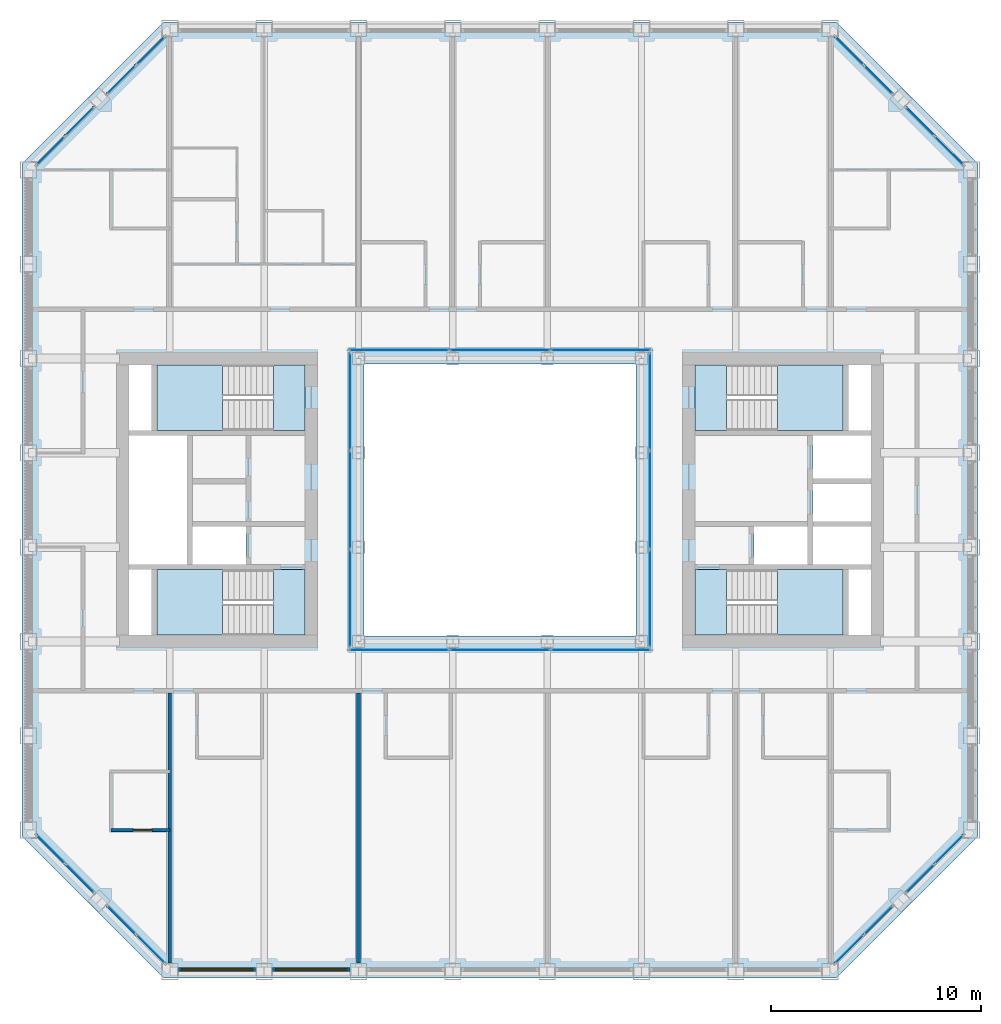
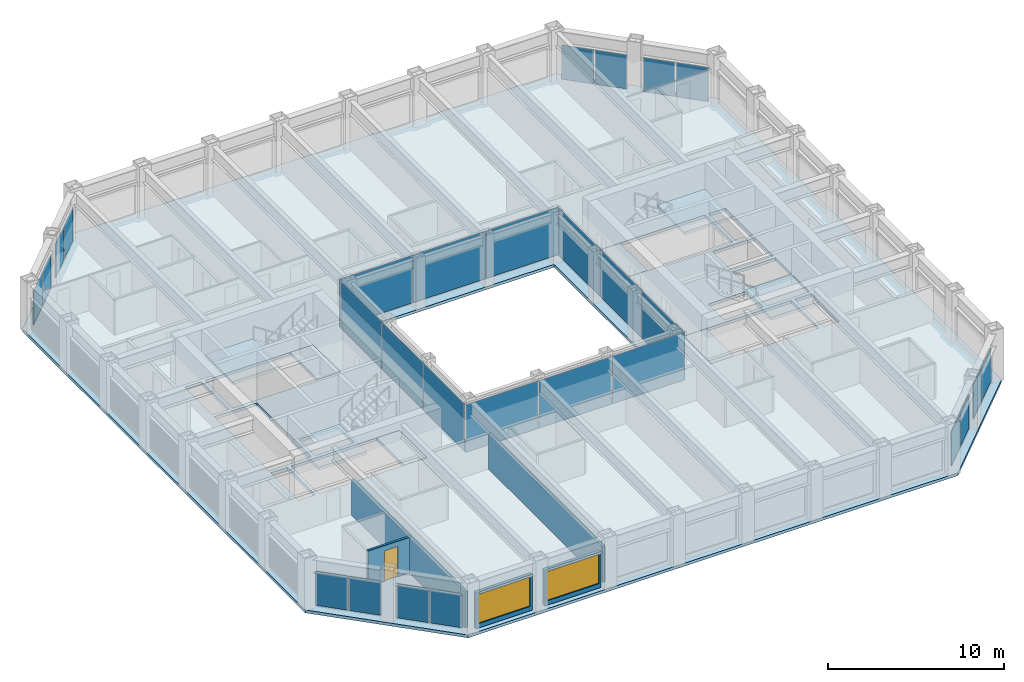
# One storey, part 9 of 17: 28 plates, 9 slabs, 5 walls, 2 windows, 1 door, 3 openings, 16 elements without a shape of their own.
"""IFC4 building model written with IfcOpenShell, lengths in metres."""

from ifc_helpers import new_model, si_unit, direction, frame, frame_2d, origin, origin_2d, place, context, subcontext, project, spatial, polyline, rectangle, outline, extrude, material, layer, layer_set, type_object, element, fill, aggregate, save


model = new_model("IFC4")

# Units and contexts
model_context = context("Model", 3, precision=1e-05, world=origin(), true_north=direction((0.0, 1.0)))
body_context = subcontext(model_context, "Body", "Model", "MODEL_VIEW")
ifc_project = project(units=[si_unit("LENGTHUNIT", "METRE"), si_unit("AREAUNIT", "SQUARE_METRE"), si_unit("VOLUMEUNIT", "CUBIC_METRE"), si_unit("PLANEANGLEUNIT", "RADIAN"), si_unit("MASSUNIT", "GRAM", prefix="KILO")], contexts=[model_context])

# Site, building, storey
site_placement = place(None, origin())
site = spatial("IfcSite", under=ifc_project, at=site_placement, CompositionType="ELEMENT")
building_placement = place(site_placement, origin())
building = spatial("IfcBuilding", under=site, at=building_placement, Name="Msasa Ring Tower", CompositionType="ELEMENT")
storey_placement = place(building_placement, frame((0.0, 0.0, 172.39990234375)))
storey = spatial("IfcBuildingStorey", under=building, at=storey_placement, Name="L45", CompositionType="ELEMENT", Elevation=172.39990234375)

# Curtain wall, plates
ifc_material_1 = material(Name="Aluminium curtain wall with clear glass", Category="aluminium")
curtain_wall_type_1 = type_object("IfcCurtainWallType", Name="CW-C CHAMFER CORNER CURTAIN WALL", PredefinedType="NOTDEFINED", material=ifc_material_1)
curtain_wall_1_placement = place(storey_placement, origin())
curtain_wall_1 = element("IfcCurtainWall", 1, at=curtain_wall_1_placement, inside=storey, type_object=curtain_wall_type_1, Name="Chamfer corner curtain wall SE L45", PredefinedType="NOTDEFINED")
ifc_material_2 = material(Name="Clear laminated insulating glass unit", Category="glass")
ifc_layer_1 = layer(ifc_material_2, 0.031982421875)
ifc_layer_set_1 = layer_set([ifc_layer_1], Name="CW-C GLASS PANEL 32")
plate_type_1 = type_object("IfcPlateType", Name="CW-C GLASS PANEL 32", PredefinedType="CURTAIN_PANEL", material=ifc_layer_set_1)
plate_1_placement = place(storey_placement, frame((16.677734375, -21.430908203125, 0.06494140625), z_axis=(0.0, 0.0, 1.0), x_axis=(0.707106781187, 0.707106781187, 0.0)))
plate_1 = element("IfcPlate", 2, at=plate_1_placement, type_object=plate_type_1, Name="CW-C panel 1.1", PredefinedType="CURTAIN_PANEL", context=body_context, shape_type="SweptSolid", body=[
    extrude(rectangle(XDim=1.884033203125, YDim=0.031982421875, at=origin_2d()), origin(), (0.0, 0.0, 1.0), 2.34912109375),
])
plate_2_placement = place(storey_placement, frame((18.055908203125, -20.052734375, 0.06494140625), z_axis=(0.0, 0.0, 1.0), x_axis=(0.707106781187, 0.707106781187, 0.0)))
plate_2 = element("IfcPlate", 3, at=plate_2_placement, type_object=plate_type_1, Name="CW-C panel 2.1", PredefinedType="CURTAIN_PANEL", context=body_context, shape_type="SweptSolid", body=[
    extrude(rectangle(XDim=1.884033203125, YDim=0.031982421875, at=origin_2d()), origin(), (0.0, 0.0, 1.0), 2.34912109375),
])
aggregate(curtain_wall_1, [plate_1, plate_2])

curtain_wall_2_placement = place(storey_placement, origin())
curtain_wall_2 = element("IfcCurtainWall", 4, at=curtain_wall_2_placement, inside=storey, type_object=curtain_wall_type_1, Name="Chamfer corner curtain wall SE L45", PredefinedType="NOTDEFINED")
plate_3_placement = place(storey_placement, frame((20.052734375, -18.055908203125, 0.06494140625), z_axis=(0.0, 0.0, 1.0), x_axis=(0.707106781187, 0.707106781187, 0.0)))
plate_3 = element("IfcPlate", 5, at=plate_3_placement, type_object=plate_type_1, Name="CW-C panel 1.1", PredefinedType="CURTAIN_PANEL", context=body_context, shape_type="SweptSolid", body=[
    extrude(rectangle(XDim=1.884033203125, YDim=0.031982421875, at=origin_2d()), origin(), (0.0, 0.0, 1.0), 2.34912109375),
])
plate_4_placement = place(storey_placement, frame((21.430908203125, -16.677734375, 0.06494140625), z_axis=(0.0, 0.0, 1.0), x_axis=(0.707106781187, 0.707106781187, 0.0)))
plate_4 = element("IfcPlate", 6, at=plate_4_placement, type_object=plate_type_1, Name="CW-C panel 2.1", PredefinedType="CURTAIN_PANEL", context=body_context, shape_type="SweptSolid", body=[
    extrude(rectangle(XDim=1.884033203125, YDim=0.031982421875, at=origin_2d()), origin(), (0.0, 0.0, 1.0), 2.34912109375),
])
aggregate(curtain_wall_2, [plate_3, plate_4])

curtain_wall_3_placement = place(storey_placement, origin())
curtain_wall_3 = element("IfcCurtainWall", 7, at=curtain_wall_3_placement, inside=storey, type_object=curtain_wall_type_1, Name="Chamfer corner curtain wall NE L45", PredefinedType="NOTDEFINED")
plate_5_placement = place(storey_placement, frame((18.055908203125, 20.052734375, 0.06494140625), z_axis=(0.0, 0.0, 1.0), x_axis=(-0.707106781187, 0.707106781187, 0.0)))
plate_5 = element("IfcPlate", 8, at=plate_5_placement, type_object=plate_type_1, Name="CW-C panel 1.1", PredefinedType="CURTAIN_PANEL", context=body_context, shape_type="SweptSolid", body=[
    extrude(rectangle(XDim=1.884033203125, YDim=0.031982421875, at=origin_2d()), origin(), (0.0, 0.0, 1.0), 2.34912109375),
])
plate_6_placement = place(storey_placement, frame((16.677734375, 21.430908203125, 0.06494140625), z_axis=(0.0, 0.0, 1.0), x_axis=(-0.707106781187, 0.707106781187, 0.0)))
plate_6 = element("IfcPlate", 9, at=plate_6_placement, type_object=plate_type_1, Name="CW-C panel 2.1", PredefinedType="CURTAIN_PANEL", context=body_context, shape_type="SweptSolid", body=[
    extrude(rectangle(XDim=1.884033203125, YDim=0.031982421875, at=origin_2d()), origin(), (0.0, 0.0, 1.0), 2.34912109375),
])
aggregate(curtain_wall_3, [plate_5, plate_6])

curtain_wall_4_placement = place(storey_placement, origin())
curtain_wall_4 = element("IfcCurtainWall", 10, at=curtain_wall_4_placement, inside=storey, type_object=curtain_wall_type_1, Name="Chamfer corner curtain wall NE L45", PredefinedType="NOTDEFINED")
plate_7_placement = place(storey_placement, frame((21.430908203125, 16.677734375, 0.06494140625), z_axis=(0.0, 0.0, 1.0), x_axis=(-0.707106781187, 0.707106781187, 0.0)))
plate_7 = element("IfcPlate", 11, at=plate_7_placement, type_object=plate_type_1, Name="CW-C panel 1.1", PredefinedType="CURTAIN_PANEL", context=body_context, shape_type="SweptSolid", body=[
    extrude(rectangle(XDim=1.884033203125, YDim=0.031982421875, at=origin_2d()), origin(), (0.0, 0.0, 1.0), 2.34912109375),
])
plate_8_placement = place(storey_placement, frame((20.052734375, 18.055908203125, 0.06494140625), z_axis=(0.0, 0.0, 1.0), x_axis=(-0.707106781187, 0.707106781187, 0.0)))
plate_8 = element("IfcPlate", 12, at=plate_8_placement, type_object=plate_type_1, Name="CW-C panel 2.1", PredefinedType="CURTAIN_PANEL", context=body_context, shape_type="SweptSolid", body=[
    extrude(rectangle(XDim=1.884033203125, YDim=0.031982421875, at=origin_2d()), origin(), (0.0, 0.0, 1.0), 2.34912109375),
])
aggregate(curtain_wall_4, [plate_7, plate_8])

curtain_wall_5_placement = place(storey_placement, origin())
curtain_wall_5 = element("IfcCurtainWall", 13, at=curtain_wall_5_placement, inside=storey, type_object=curtain_wall_type_1, Name="Chamfer corner curtain wall NW L45", PredefinedType="NOTDEFINED")
plate_9_placement = place(storey_placement, frame((-20.052734375, 18.055908203125, 0.06494140625), z_axis=(0.0, 0.0, 1.0), x_axis=(-0.707106781187, -0.707106781187, 0.0)))
plate_9 = element("IfcPlate", 14, at=plate_9_placement, type_object=plate_type_1, Name="CW-C panel 1.1", PredefinedType="CURTAIN_PANEL", context=body_context, shape_type="SweptSolid", body=[
    extrude(rectangle(XDim=1.884033203125, YDim=0.031982421875, at=origin_2d()), origin(), (0.0, 0.0, 1.0), 2.34912109375),
])
plate_10_placement = place(storey_placement, frame((-21.430908203125, 16.677734375, 0.06494140625), z_axis=(0.0, 0.0, 1.0), x_axis=(-0.707106781187, -0.707106781187, 0.0)))
plate_10 = element("IfcPlate", 15, at=plate_10_placement, type_object=plate_type_1, Name="CW-C panel 2.1", PredefinedType="CURTAIN_PANEL", context=body_context, shape_type="SweptSolid", body=[
    extrude(rectangle(XDim=1.884033203125, YDim=0.031982421875, at=origin_2d()), origin(), (0.0, 0.0, 1.0), 2.34912109375),
])
aggregate(curtain_wall_5, [plate_9, plate_10])

curtain_wall_6_placement = place(storey_placement, origin())
curtain_wall_6 = element("IfcCurtainWall", 16, at=curtain_wall_6_placement, inside=storey, type_object=curtain_wall_type_1, Name="Chamfer corner curtain wall NW L45", PredefinedType="NOTDEFINED")
plate_11_placement = place(storey_placement, frame((-16.677734375, 21.430908203125, 0.06494140625), z_axis=(0.0, 0.0, 1.0), x_axis=(-0.707106781187, -0.707106781187, 0.0)))
plate_11 = element("IfcPlate", 17, at=plate_11_placement, type_object=plate_type_1, Name="CW-C panel 1.1", PredefinedType="CURTAIN_PANEL", context=body_context, shape_type="SweptSolid", body=[
    extrude(rectangle(XDim=1.884033203125, YDim=0.031982421875, at=origin_2d()), origin(), (0.0, 0.0, 1.0), 2.34912109375),
])
plate_12_placement = place(storey_placement, frame((-18.055908203125, 20.052734375, 0.06494140625), z_axis=(0.0, 0.0, 1.0), x_axis=(-0.707106781187, -0.707106781187, 0.0)))
plate_12 = element("IfcPlate", 18, at=plate_12_placement, type_object=plate_type_1, Name="CW-C panel 2.1", PredefinedType="CURTAIN_PANEL", context=body_context, shape_type="SweptSolid", body=[
    extrude(rectangle(XDim=1.884033203125, YDim=0.031982421875, at=origin_2d()), origin(), (0.0, 0.0, 1.0), 2.34912109375),
])
aggregate(curtain_wall_6, [plate_11, plate_12])

curtain_wall_7_placement = place(storey_placement, origin())
curtain_wall_7 = element("IfcCurtainWall", 19, at=curtain_wall_7_placement, inside=storey, type_object=curtain_wall_type_1, Name="Chamfer corner curtain wall SW L45", PredefinedType="NOTDEFINED")
plate_13_placement = place(storey_placement, frame((-21.430908203125, -16.677734375, 0.06494140625), z_axis=(0.0, 0.0, 1.0), x_axis=(0.707106781187, -0.707106781187, 0.0)))
plate_13 = element("IfcPlate", 20, at=plate_13_placement, type_object=plate_type_1, Name="CW-C panel 1.1", PredefinedType="CURTAIN_PANEL", context=body_context, shape_type="SweptSolid", body=[
    extrude(rectangle(XDim=1.884033203125, YDim=0.031982421875, at=origin_2d()), origin(), (0.0, 0.0, 1.0), 2.34912109375),
])
plate_14_placement = place(storey_placement, frame((-20.052734375, -18.055908203125, 0.06494140625), z_axis=(0.0, 0.0, 1.0), x_axis=(0.707106781187, -0.707106781187, 0.0)))
plate_14 = element("IfcPlate", 21, at=plate_14_placement, type_object=plate_type_1, Name="CW-C panel 2.1", PredefinedType="CURTAIN_PANEL", context=body_context, shape_type="SweptSolid", body=[
    extrude(rectangle(XDim=1.884033203125, YDim=0.031982421875, at=origin_2d()), origin(), (0.0, 0.0, 1.0), 2.34912109375),
])
aggregate(curtain_wall_7, [plate_13, plate_14])

curtain_wall_8_placement = place(storey_placement, origin())
curtain_wall_8 = element("IfcCurtainWall", 22, at=curtain_wall_8_placement, inside=storey, type_object=curtain_wall_type_1, Name="Chamfer corner curtain wall SW L45", PredefinedType="NOTDEFINED")
plate_15_placement = place(storey_placement, frame((-18.055908203125, -20.052734375, 0.06494140625), z_axis=(0.0, 0.0, 1.0), x_axis=(0.707106781187, -0.707106781187, 0.0)))
plate_15 = element("IfcPlate", 23, at=plate_15_placement, type_object=plate_type_1, Name="CW-C panel 1.1", PredefinedType="CURTAIN_PANEL", context=body_context, shape_type="SweptSolid", body=[
    extrude(rectangle(XDim=1.884033203125, YDim=0.031982421875, at=origin_2d()), origin(), (0.0, 0.0, 1.0), 2.34912109375),
])
plate_16_placement = place(storey_placement, frame((-16.677734375, -21.430908203125, 0.06494140625), z_axis=(0.0, 0.0, 1.0), x_axis=(0.707106781187, -0.707106781187, 0.0)))
plate_16 = element("IfcPlate", 24, at=plate_16_placement, type_object=plate_type_1, Name="CW-C panel 2.1", PredefinedType="CURTAIN_PANEL", context=body_context, shape_type="SweptSolid", body=[
    extrude(rectangle(XDim=1.884033203125, YDim=0.031982421875, at=origin_2d()), origin(), (0.0, 0.0, 1.0), 2.34912109375),
])
aggregate(curtain_wall_8, [plate_15, plate_16])

ifc_material_3 = material(Name="Aluminium curtain wall with clear glass", Category="aluminium")
curtain_wall_type_2 = type_object("IfcCurtainWallType", Name="CW-W LIGHT WELL CURTAIN WALL", PredefinedType="NOTDEFINED", material=ifc_material_3)
curtain_wall_9_placement = place(storey_placement, origin())
curtain_wall_9 = element("IfcCurtainWall", 25, at=curtain_wall_9_placement, inside=storey, type_object=curtain_wall_type_2, Name="Light well curtain wall N L45", PredefinedType="NOTDEFINED")
ifc_material_4 = material(Name="Clear laminated insulating glass unit", Category="glass")
ifc_layer_2 = layer(ifc_material_4, 0.028076171875)
ifc_layer_set_2 = layer_set([ifc_layer_2], Name="CW-W GLASS PANEL 28")
plate_type_2 = type_object("IfcPlateType", Name="CW-W GLASS PANEL 28", PredefinedType="CURTAIN_PANEL", material=ifc_layer_set_2)
plate_17_placement = place(storey_placement, frame((-4.804931640625, 7.14990234375, 0.06005859375), z_axis=(0.0, 0.0, 1.0), x_axis=(1.0, 0.0, 0.0)))
plate_17 = element("IfcPlate", 26, at=plate_17_placement, type_object=plate_type_2, Name="CW-W panel 1.1", PredefinedType="CURTAIN_PANEL", context=body_context, shape_type="SweptSolid", body=[
    extrude(rectangle(XDim=4.72998046875, YDim=0.028076171875, at=origin_2d()), origin(), (0.0, 0.0, 1.0), 3.280029296875),
])
plate_18_placement = place(storey_placement, frame((0.0, 7.14990234375, 0.06005859375), z_axis=(0.0, 0.0, 1.0), x_axis=(1.0, 0.0, 0.0)))
plate_18 = element("IfcPlate", 27, at=plate_18_placement, type_object=plate_type_2, Name="CW-W panel 2.1", PredefinedType="CURTAIN_PANEL", context=body_context, shape_type="SweptSolid", body=[
    extrude(rectangle(XDim=4.760009765625, YDim=0.028076171875, at=origin_2d()), origin(), (0.0, 0.0, 1.0), 3.280029296875),
])
plate_19_placement = place(storey_placement, frame((4.804931640625, 7.14990234375, 0.06005859375), z_axis=(0.0, 0.0, 1.0), x_axis=(1.0, 0.0, 0.0)))
plate_19 = element("IfcPlate", 28, at=plate_19_placement, type_object=plate_type_2, Name="CW-W panel 3.1", PredefinedType="CURTAIN_PANEL", context=body_context, shape_type="SweptSolid", body=[
    extrude(rectangle(XDim=4.72998046875, YDim=0.028076171875, at=origin_2d()), origin(), (0.0, 0.0, 1.0), 3.280029296875),
])
aggregate(curtain_wall_9, [plate_17, plate_18, plate_19])

curtain_wall_10_placement = place(storey_placement, origin())
curtain_wall_10 = element("IfcCurtainWall", 29, at=curtain_wall_10_placement, inside=storey, type_object=curtain_wall_type_2, Name="Light well curtain wall S L45", PredefinedType="NOTDEFINED")
plate_20_placement = place(storey_placement, frame((-4.804931640625, -7.14990234375, 0.06005859375), z_axis=(0.0, 0.0, 1.0), x_axis=(1.0, 0.0, 0.0)))
plate_20 = element("IfcPlate", 30, at=plate_20_placement, type_object=plate_type_2, Name="CW-W panel 1.1", PredefinedType="CURTAIN_PANEL", context=body_context, shape_type="SweptSolid", body=[
    extrude(rectangle(XDim=4.72998046875, YDim=0.028076171875, at=origin_2d()), origin(), (0.0, 0.0, 1.0), 3.280029296875),
])
plate_21_placement = place(storey_placement, frame((0.0, -7.14990234375, 0.06005859375), z_axis=(0.0, 0.0, 1.0), x_axis=(1.0, 0.0, 0.0)))
plate_21 = element("IfcPlate", 31, at=plate_21_placement, type_object=plate_type_2, Name="CW-W panel 2.1", PredefinedType="CURTAIN_PANEL", context=body_context, shape_type="SweptSolid", body=[
    extrude(rectangle(XDim=4.760009765625, YDim=0.028076171875, at=origin_2d()), origin(), (0.0, 0.0, 1.0), 3.280029296875),
])
plate_22_placement = place(storey_placement, frame((4.804931640625, -7.14990234375, 0.06005859375), z_axis=(0.0, 0.0, 1.0), x_axis=(1.0, 0.0, 0.0)))
plate_22 = element("IfcPlate", 32, at=plate_22_placement, type_object=plate_type_2, Name="CW-W panel 3.1", PredefinedType="CURTAIN_PANEL", context=body_context, shape_type="SweptSolid", body=[
    extrude(rectangle(XDim=4.72998046875, YDim=0.028076171875, at=origin_2d()), origin(), (0.0, 0.0, 1.0), 3.280029296875),
])
aggregate(curtain_wall_10, [plate_20, plate_21, plate_22])

curtain_wall_11_placement = place(storey_placement, origin())
curtain_wall_11 = element("IfcCurtainWall", 33, at=curtain_wall_11_placement, inside=storey, type_object=curtain_wall_type_2, Name="Light well curtain wall E L45", PredefinedType="NOTDEFINED")
plate_23_placement = place(storey_placement, frame((7.14990234375, -4.6982421875, 0.06005859375), z_axis=(0.0, 0.0, 1.0), x_axis=(0.0, 1.0, 0.0)))
plate_23 = element("IfcPlate", 34, at=plate_23_placement, type_object=plate_type_2, Name="CW-W panel 1.1", PredefinedType="CURTAIN_PANEL", context=body_context, shape_type="SweptSolid", body=[
    extrude(rectangle(XDim=4.623291015625, YDim=0.028076171875, at=origin_2d()), origin(), (0.0, 0.0, 1.0), 3.280029296875),
])
plate_24_placement = place(storey_placement, frame((7.14990234375, 0.0, 0.06005859375), z_axis=(0.0, 0.0, 1.0), x_axis=(0.0, 1.0, 0.0)))
plate_24 = element("IfcPlate", 35, at=plate_24_placement, type_object=plate_type_2, Name="CW-W panel 2.1", PredefinedType="CURTAIN_PANEL", context=body_context, shape_type="SweptSolid", body=[
    extrude(rectangle(XDim=4.6533203125, YDim=0.028076171875, at=origin_2d()), origin(), (0.0, 0.0, 1.0), 3.280029296875),
])
plate_25_placement = place(storey_placement, frame((7.14990234375, 4.6982421875, 0.06005859375), z_axis=(0.0, 0.0, 1.0), x_axis=(0.0, 1.0, 0.0)))
plate_25 = element("IfcPlate", 36, at=plate_25_placement, type_object=plate_type_2, Name="CW-W panel 3.1", PredefinedType="CURTAIN_PANEL", context=body_context, shape_type="SweptSolid", body=[
    extrude(rectangle(XDim=4.623291015625, YDim=0.028076171875, at=origin_2d()), origin(), (0.0, 0.0, 1.0), 3.280029296875),
])
aggregate(curtain_wall_11, [plate_23, plate_24, plate_25])

curtain_wall_12_placement = place(storey_placement, origin())
curtain_wall_12 = element("IfcCurtainWall", 37, at=curtain_wall_12_placement, inside=storey, type_object=curtain_wall_type_2, Name="Light well curtain wall W L45", PredefinedType="NOTDEFINED")
plate_26_placement = place(storey_placement, frame((-7.14990234375, -4.6982421875, 0.06005859375), z_axis=(0.0, 0.0, 1.0), x_axis=(0.0, 1.0, 0.0)))
plate_26 = element("IfcPlate", 38, at=plate_26_placement, type_object=plate_type_2, Name="CW-W panel 1.1", PredefinedType="CURTAIN_PANEL", context=body_context, shape_type="SweptSolid", body=[
    extrude(rectangle(XDim=4.623291015625, YDim=0.028076171875, at=origin_2d()), origin(), (0.0, 0.0, 1.0), 3.280029296875),
])
plate_27_placement = place(storey_placement, frame((-7.14990234375, 0.0, 0.06005859375), z_axis=(0.0, 0.0, 1.0), x_axis=(0.0, 1.0, 0.0)))
plate_27 = element("IfcPlate", 39, at=plate_27_placement, type_object=plate_type_2, Name="CW-W panel 2.1", PredefinedType="CURTAIN_PANEL", context=body_context, shape_type="SweptSolid", body=[
    extrude(rectangle(XDim=4.6533203125, YDim=0.028076171875, at=origin_2d()), origin(), (0.0, 0.0, 1.0), 3.280029296875),
])
plate_28_placement = place(storey_placement, frame((-7.14990234375, 4.6982421875, 0.06005859375), z_axis=(0.0, 0.0, 1.0), x_axis=(0.0, 1.0, 0.0)))
plate_28 = element("IfcPlate", 40, at=plate_28_placement, type_object=plate_type_2, Name="CW-W panel 3.1", PredefinedType="CURTAIN_PANEL", context=body_context, shape_type="SweptSolid", body=[
    extrude(rectangle(XDim=4.623291015625, YDim=0.028076171875, at=origin_2d()), origin(), (0.0, 0.0, 1.0), 3.280029296875),
])
aggregate(curtain_wall_12, [plate_26, plate_27, plate_28])

# Stair, slabs
ifc_material_5 = material(Name="Concrete C40/50", Category="concrete")
stair_type = type_object("IfcStairType", Name="STC CORE STAIR 20 RISERS 180", PredefinedType="HALF_TURN_STAIR", material=ifc_material_5)
stair_1_placement = place(storey_placement, origin())
stair_1 = element("IfcStair", 41, at=stair_1_placement, inside=storey, type_object=stair_type, Name="Core stair SEA L45", PredefinedType="HALF_TURN_STAIR")
ifc_material_6 = material(Name="Concrete C40/50", Category="concrete")
ifc_layer_3 = layer(ifc_material_6, 0.199951171875)
ifc_layer_set_3 = layer_set([ifc_layer_3], Name="LD1 CORE STAIR LANDING 200")
slab_type_1 = type_object("IfcSlabType", Name="LD1 CORE STAIR LANDING 200", PredefinedType="LANDING", material=ifc_layer_set_3)
slab_1_placement = place(storey_placement, frame((0.0, 0.0, -0.199951171875)))
slab_1 = element("IfcSlab", 42, at=slab_1_placement, type_object=slab_type_1, Name="SEA landing 1", PredefinedType="LANDING", context=body_context, shape_type="SweptSolid", body=[
    extrude(outline(polyline([(9.300048828125, -6.449951171875), (10.800048828125, -6.449951171875), (10.800048828125, -3.324951171875), (9.300048828125, -3.324951171875), (9.300048828125, -6.449951171875)])), origin(), (0.0, 0.0, 1.0), 0.199951171875),
])
slab_2_placement = place(storey_placement, frame((0.0, 0.0, 1.60009765625)))
slab_2 = element("IfcSlab", 43, at=slab_2_placement, type_object=slab_type_1, Name="SEA landing 2", PredefinedType="LANDING", context=body_context, shape_type="SweptSolid", body=[
    extrude(outline(polyline([(13.22998046875, -6.449951171875), (16.375, -6.449951171875), (16.375, -3.324951171875), (13.22998046875, -3.324951171875), (13.22998046875, -6.449951171875)])), origin(), (0.0, 0.0, 1.0), 0.199951171875),
])
aggregate(stair_1, [slab_1, slab_2])

stair_2_placement = place(storey_placement, origin())
stair_2 = element("IfcStair", 44, at=stair_2_placement, inside=storey, type_object=stair_type, Name="Core stair SEB L45", PredefinedType="HALF_TURN_STAIR")
slab_3_placement = place(storey_placement, frame((0.0, 0.0, -0.199951171875)))
slab_3 = element("IfcSlab", 45, at=slab_3_placement, type_object=slab_type_1, Name="SEB landing 1", PredefinedType="LANDING", context=body_context, shape_type="SweptSolid", body=[
    extrude(outline(polyline([(9.300048828125, 3.324951171875), (10.800048828125, 3.324951171875), (10.800048828125, 6.449951171875), (9.300048828125, 6.449951171875), (9.300048828125, 3.324951171875)])), origin(), (0.0, 0.0, 1.0), 0.199951171875),
])
slab_4_placement = place(storey_placement, frame((0.0, 0.0, 1.60009765625)))
slab_4 = element("IfcSlab", 46, at=slab_4_placement, type_object=slab_type_1, Name="SEB landing 2", PredefinedType="LANDING", context=body_context, shape_type="SweptSolid", body=[
    extrude(outline(polyline([(13.22998046875, 3.324951171875), (16.375, 3.324951171875), (16.375, 6.449951171875), (13.22998046875, 6.449951171875), (13.22998046875, 3.324951171875)])), origin(), (0.0, 0.0, 1.0), 0.199951171875),
])
aggregate(stair_2, [slab_3, slab_4])

stair_3_placement = place(storey_placement, origin())
stair_3 = element("IfcStair", 47, at=stair_3_placement, inside=storey, type_object=stair_type, Name="Core stair SWA L45", PredefinedType="HALF_TURN_STAIR")
slab_5_placement = place(storey_placement, frame((0.0, 0.0, -0.199951171875)))
slab_5 = element("IfcSlab", 48, at=slab_5_placement, type_object=slab_type_1, Name="SWA landing 1", PredefinedType="LANDING", context=body_context, shape_type="SweptSolid", body=[
    extrude(outline(polyline([(-10.800048828125, -6.449951171875), (-9.300048828125, -6.449951171875), (-9.300048828125, -3.324951171875), (-10.800048828125, -3.324951171875), (-10.800048828125, -6.449951171875)])), origin(), (0.0, 0.0, 1.0), 0.199951171875),
])
slab_6_placement = place(storey_placement, frame((0.0, 0.0, 1.60009765625)))
slab_6 = element("IfcSlab", 49, at=slab_6_placement, type_object=slab_type_1, Name="SWA landing 2", PredefinedType="LANDING", context=body_context, shape_type="SweptSolid", body=[
    extrude(outline(polyline([(-16.375, -6.449951171875), (-13.22998046875, -6.449951171875), (-13.22998046875, -3.324951171875), (-16.375, -3.324951171875), (-16.375, -6.449951171875)])), origin(), (0.0, 0.0, 1.0), 0.199951171875),
])
aggregate(stair_3, [slab_5, slab_6])

stair_4_placement = place(storey_placement, origin())
stair_4 = element("IfcStair", 50, at=stair_4_placement, inside=storey, type_object=stair_type, Name="Core stair SWB L45", PredefinedType="HALF_TURN_STAIR")
slab_7_placement = place(storey_placement, frame((0.0, 0.0, -0.199951171875)))
slab_7 = element("IfcSlab", 51, at=slab_7_placement, type_object=slab_type_1, Name="SWB landing 1", PredefinedType="LANDING", context=body_context, shape_type="SweptSolid", body=[
    extrude(outline(polyline([(-10.800048828125, 3.324951171875), (-9.300048828125, 3.324951171875), (-9.300048828125, 6.449951171875), (-10.800048828125, 6.449951171875), (-10.800048828125, 3.324951171875)])), origin(), (0.0, 0.0, 1.0), 0.199951171875),
])
slab_8_placement = place(storey_placement, frame((0.0, 0.0, 1.60009765625)))
slab_8 = element("IfcSlab", 52, at=slab_8_placement, type_object=slab_type_1, Name="SWB landing 2", PredefinedType="LANDING", context=body_context, shape_type="SweptSolid", body=[
    extrude(outline(polyline([(-16.375, 3.324951171875), (-13.22998046875, 3.324951171875), (-13.22998046875, 6.449951171875), (-16.375, 6.449951171875), (-16.375, 3.324951171875)])), origin(), (0.0, 0.0, 1.0), 0.199951171875),
])
aggregate(stair_4, [slab_7, slab_8])

# Slab
ifc_material_7 = material(Name="Concrete C40/50", Category="concrete")
ifc_layer_4 = layer(ifc_material_7, 0.199951171875)
ifc_layer_set_4 = layer_set([ifc_layer_4], Name="S6 GUEST FLOOR 200")
slab_type_2 = type_object("IfcSlabType", Name="S6 GUEST FLOOR 200", PredefinedType="FLOOR", material=ifc_layer_set_4)
slab_9_placement = place(storey_placement, frame((0.0, 0.0, -0.199951171875)))
element("IfcSlab", 53, at=slab_9_placement, inside=storey, type_object=slab_type_2, Name="Floor slab L45", PredefinedType="FLOOR", context=body_context, shape_type="SweptSolid", body=[
    extrude(outline(polyline([(-16.050048828125, -22.800048828125), (16.050048828125, -22.800048828125), (22.800048828125, -16.050048828125), (22.800048828125, 16.050048828125), (16.050048828125, 22.800048828125), (-16.050048828125, 22.800048828125), (-22.800048828125, 16.050048828125), (-22.800048828125, -16.050048828125), (-16.050048828125, -22.800048828125)]), holes=[polyline([(-6.5, -6.5), (6.5, -6.5), (6.5, 6.5), (-6.5, 6.5), (-6.5, -6.5)]), polyline([(9.300048828125, -6.449951171875), (16.375, -6.449951171875), (16.375, -3.324951171875), (9.300048828125, -3.324951171875), (9.300048828125, -6.449951171875)]), polyline([(9.300048828125, 3.324951171875), (16.375, 3.324951171875), (16.375, 6.449951171875), (9.300048828125, 6.449951171875), (9.300048828125, 3.324951171875)]), polyline([(12.125, -3.074951171875), (14.675048828125, -3.074951171875), (14.675048828125, -1.27490234375), (12.125, -1.27490234375), (12.125, -3.074951171875)]), polyline([(16.625, -6.449951171875), (17.699951171875, -6.449951171875), (17.699951171875, -3.324951171875), (16.625, -3.324951171875), (16.625, -6.449951171875)]), polyline([(16.625, 3.324951171875), (17.699951171875, 3.324951171875), (17.699951171875, 6.449951171875), (16.625, 6.449951171875), (16.625, 3.324951171875)]), polyline([(14.925048828125, -3.074951171875), (17.699951171875, -3.074951171875), (17.699951171875, -1.27490234375), (14.925048828125, -1.27490234375), (14.925048828125, -3.074951171875)]), polyline([(14.925048828125, -1.02490234375), (17.699951171875, -1.02490234375), (17.699951171875, 0.77490234375), (14.925048828125, 0.77490234375), (14.925048828125, -1.02490234375)]), polyline([(14.925048828125, 1.02490234375), (17.699951171875, 1.02490234375), (17.699951171875, 3.074951171875), (14.925048828125, 3.074951171875), (14.925048828125, 1.02490234375)]), polyline([(-16.375, -6.449951171875), (-9.300048828125, -6.449951171875), (-9.300048828125, -3.324951171875), (-16.375, -3.324951171875), (-16.375, -6.449951171875)]), polyline([(-16.375, 3.324951171875), (-9.300048828125, 3.324951171875), (-9.300048828125, 6.449951171875), (-16.375, 6.449951171875), (-16.375, 3.324951171875)]), polyline([(-14.675048828125, -3.074951171875), (-12.125, -3.074951171875), (-12.125, -1.27490234375), (-14.675048828125, -1.27490234375), (-14.675048828125, -3.074951171875)]), polyline([(-17.699951171875, -6.449951171875), (-16.625, -6.449951171875), (-16.625, -3.324951171875), (-17.699951171875, -3.324951171875), (-17.699951171875, -6.449951171875)]), polyline([(-17.699951171875, 3.324951171875), (-16.625, 3.324951171875), (-16.625, 6.449951171875), (-17.699951171875, 6.449951171875), (-17.699951171875, 3.324951171875)]), polyline([(-17.699951171875, -3.074951171875), (-14.925048828125, -3.074951171875), (-14.925048828125, 3.074951171875), (-17.699951171875, 3.074951171875), (-17.699951171875, -3.074951171875)])]), origin(), (0.0, 0.0, 1.0), 0.199951171875),
])

# Wall, opening, window
ifc_material_8 = material(Name="Terracotta rainscreen on blockwork", Category="masonry")
ifc_layer_5 = layer(ifc_material_8, 0.199951171875)
ifc_layer_set_5 = layer_set([ifc_layer_5], Name="FW1 TERRACOTTA-LINED INFILL BAY WALL 200")
wall_type_1 = type_object("IfcWallType", Name="FW1 TERRACOTTA-LINED INFILL BAY WALL 200", PredefinedType="SOLIDWALL", material=ifc_layer_set_5)
wall_1_placement = place(storey_placement, frame((-15.344970703125, -22.39990234375, 0.0), z_axis=(0.0, 0.0, 1.0), x_axis=(1.0, 0.0, 0.0)))
wall_1 = element("IfcWall", 54, at=wall_1_placement, inside=storey, type_object=wall_type_1, Name="Infill bay wall S L45 00", PredefinedType="SOLIDWALL", context=body_context, shape_type="SweptSolid", body=[
    extrude(rectangle(XDim=3.68994140625, YDim=0.199951171875, at=frame_2d((1.844970703125, 0.0))), origin(), (0.0, 0.0, 1.0), 2.47900390625),
])
opening_1_placement = place(wall_1_placement, frame((0.14501953125, 0.0, 0.300048828125)))
opening_1 = element("IfcOpeningElement", 55, at=opening_1_placement, cuts=wall_1, Name="Opening WN2", PredefinedType="OPENING", context=body_context, shape_type="SweptSolid", body=[
    extrude(rectangle(XDim=3.39990234375, YDim=2.029052734375, at=frame_2d((1.699951171875, 1.0146484375))), frame((0.0, 0.10986328125, 0.0), z_axis=(0.0, -1.0, 0.0), x_axis=(1.0, 0.0, 0.0)), (0.0, 0.0, 1.0), 0.219970703125),
])
ifc_material_9 = material(Name="Aluminium frame with clear glass", Category="aluminium")
window_type = type_object("IfcWindowType", Name="WN2 GUEST ROOM WINDOW 3400x2029", PartitioningType="SINGLE_PANEL", PredefinedType="WINDOW", material=ifc_material_9)
window_1_placement = place(opening_1_placement, origin())
window_1 = element("IfcWindow", 56, at=window_1_placement, inside=storey, type_object=window_type, Name="Window S L45 00", OverallHeight=2.029052734375, OverallWidth=3.39990234375, PartitioningType="SINGLE_PANEL", PredefinedType="WINDOW", context=body_context, shape_type="SweptSolid", body=[
    extrude(rectangle(XDim=3.39990234375, YDim=2.029052734375, at=frame_2d((1.699951171875, 1.0146484375))), frame((0.0, 0.030029296875, 0.0), z_axis=(0.0, -1.0, 0.0), x_axis=(1.0, 0.0, 0.0)), (0.0, 0.0, 1.0), 0.06005859375),
])
fill(opening_1, window_1)

wall_2_placement = place(storey_placement, frame((-10.844970703125, -22.39990234375, 0.0), z_axis=(0.0, 0.0, 1.0), x_axis=(1.0, 0.0, 0.0)))
wall_2 = element("IfcWall", 57, at=wall_2_placement, inside=storey, type_object=wall_type_1, Name="Infill bay wall S L45 01", PredefinedType="SOLIDWALL", context=body_context, shape_type="SweptSolid", body=[
    extrude(rectangle(XDim=3.68994140625, YDim=0.199951171875, at=frame_2d((1.844970703125, 0.0))), origin(), (0.0, 0.0, 1.0), 2.47900390625),
])
opening_2_placement = place(wall_2_placement, frame((0.14501953125, 0.0, 0.300048828125)))
opening_2 = element("IfcOpeningElement", 58, at=opening_2_placement, cuts=wall_2, Name="Opening WN2", PredefinedType="OPENING", context=body_context, shape_type="SweptSolid", body=[
    extrude(rectangle(XDim=3.39990234375, YDim=2.029052734375, at=frame_2d((1.699951171875, 1.0146484375))), frame((0.0, 0.10986328125, 0.0), z_axis=(0.0, -1.0, 0.0), x_axis=(1.0, 0.0, 0.0)), (0.0, 0.0, 1.0), 0.219970703125),
])
window_2_placement = place(opening_2_placement, origin())
window_2 = element("IfcWindow", 59, at=window_2_placement, inside=storey, type_object=window_type, Name="Window S L45 01", OverallHeight=2.029052734375, OverallWidth=3.39990234375, PartitioningType="SINGLE_PANEL", PredefinedType="WINDOW", context=body_context, shape_type="SweptSolid", body=[
    extrude(rectangle(XDim=3.39990234375, YDim=2.029052734375, at=frame_2d((1.699951171875, 1.0146484375))), frame((0.0, 0.030029296875, 0.0), z_axis=(0.0, -1.0, 0.0), x_axis=(1.0, 0.0, 0.0)), (0.0, 0.0, 1.0), 0.06005859375),
])
fill(opening_2, window_2)

# Wall, opening, door
ifc_material_10 = material(Name="Moisture-resistant board on steel studs with a concealed cistern and pipe void, tiled", Category="steel")
ifc_layer_6 = layer(ifc_material_10, 0.14990234375)
ifc_layer_set_6 = layer_set([ifc_layer_6], Name="PT4 BATHROOM WET WALL 150")
wall_type_2 = type_object("IfcWallType", Name="PT4 BATHROOM WET WALL 150", PredefinedType="PARTITIONING", material=ifc_layer_set_6)
wall_3_placement = place(storey_placement, frame((-18.550048828125, -15.75, 0.0), z_axis=(0.0, 0.0, 1.0), x_axis=(1.0, 0.0, 0.0)))
wall_3 = element("IfcWall", 60, at=wall_3_placement, inside=storey, type_object=wall_type_2, Name="Partition L45-CSSWBZ", PredefinedType="PARTITIONING", context=body_context, shape_type="SweptSolid", body=[
    extrude(rectangle(XDim=2.800048828125, YDim=0.14990234375, at=frame_2d((1.39990234375, 0.0))), origin(), (0.0, 0.0, 1.0), 2.473388671875),
])
opening_3_placement = place(wall_3_placement, frame((1.050048828125, 0.0, 0.0)))
opening_3 = element("IfcOpeningElement", 61, at=opening_3_placement, cuts=wall_3, Name="Opening HF-044", PredefinedType="OPENING", context=body_context, shape_type="SweptSolid", body=[
    extrude(rectangle(XDim=0.89990234375, YDim=2.10009765625, at=frame_2d((0.449951171875, 1.050048828125))), frame((0.0, 0.0849609375, 0.0), z_axis=(0.0, -1.0, 0.0), x_axis=(1.0, 0.0, 0.0)), (0.0, 0.0, 1.0), 0.169921875),
])
ifc_material_11 = material(Name="Timber door leaf in a steel frame", Category="steel")
door_type = type_object("IfcDoorType", Name="D3 BATHROOM DOOR 900x2100", OperationType="SINGLE_SWING_LEFT", PredefinedType="DOOR", material=ifc_material_11)
door_placement = place(opening_3_placement, origin())
door = element("IfcDoor", 62, at=door_placement, inside=storey, type_object=door_type, Name="Door L45-CSSWB1", OperationType="SINGLE_SWING_RIGHT", OverallHeight=2.10009765625, OverallWidth=0.89990234375, PredefinedType="DOOR", context=body_context, shape_type="SweptSolid", body=[
    extrude(rectangle(XDim=0.89990234375, YDim=2.10009765625, at=frame_2d((0.449951171875, 1.050048828125))), frame((0.0, 0.02490234375, 0.0), z_axis=(0.0, -1.0, 0.0), x_axis=(1.0, 0.0, 0.0)), (0.0, 0.0, 1.0), 0.050048828125),
])
fill(opening_3, door)

# Walls
ifc_material_12 = material(Name="Twin steel studs, two layers of acoustic board each face, mineral wool", Category="steel")
ifc_layer_7 = layer(ifc_material_12, 0.175048828125)
ifc_layer_set_7 = layer_set([ifc_layer_7], Name="PT5 GUEST ROOM SEPARATING WALL 175")
wall_type_3 = type_object("IfcWallType", Name="PT5 GUEST ROOM SEPARATING WALL 175", PredefinedType="PARTITIONING", material=ifc_layer_set_7)
for number, where, z_axis, x_axis, name in (
    (63, (-15.75, -22.10009765625, 0.0), (0.0, 0.0, 1.0), (0.0, 1.0, 0.0), "Partition L45-PWS-15.75"),
    (64, (-6.75, -22.10009765625, 0.0), (0.0, 0.0, 1.0), (0.0, 1.0, 0.0), "Partition L45-PWS-6.75"),
):
    element("IfcWall", number, at=place(storey_placement, frame(where, z_axis=z_axis, x_axis=x_axis)), inside=storey, type_object=wall_type_3, Name=name, PredefinedType="PARTITIONING", context=body_context, shape_type="SweptSolid", body=[
        extrude(rectangle(XDim=12.900146484375, YDim=0.175048828125, at=frame_2d((6.4501953125, 0.0))), origin(), (0.0, 0.0, 1.0), 2.473388671875),
    ])

save(model, "model.ifc")
